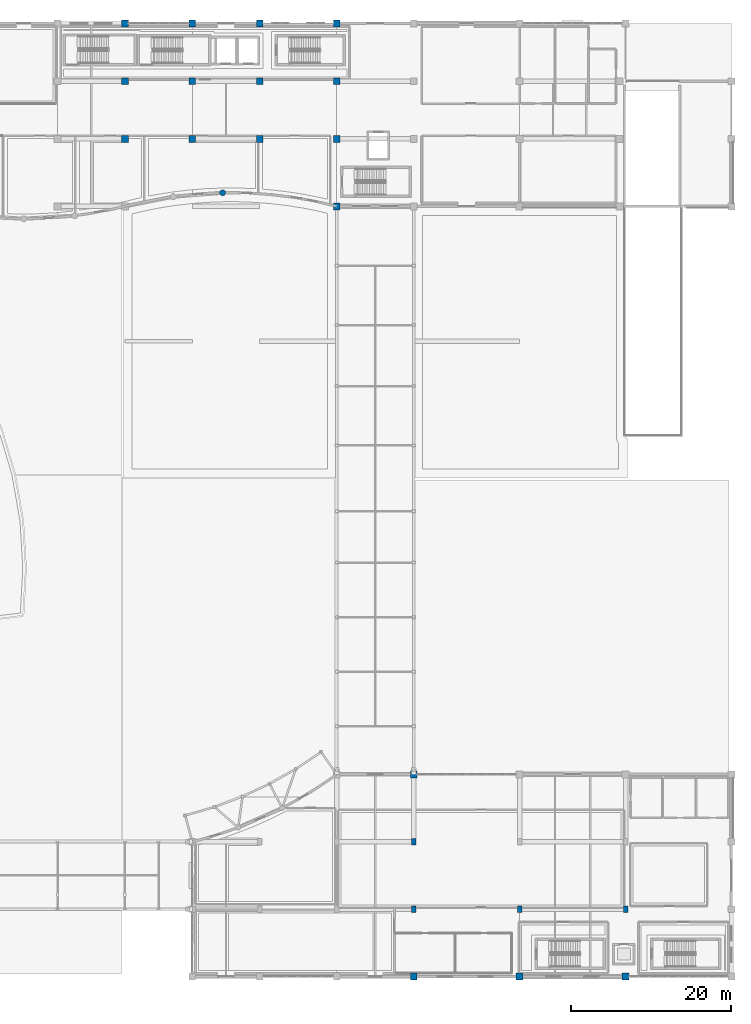
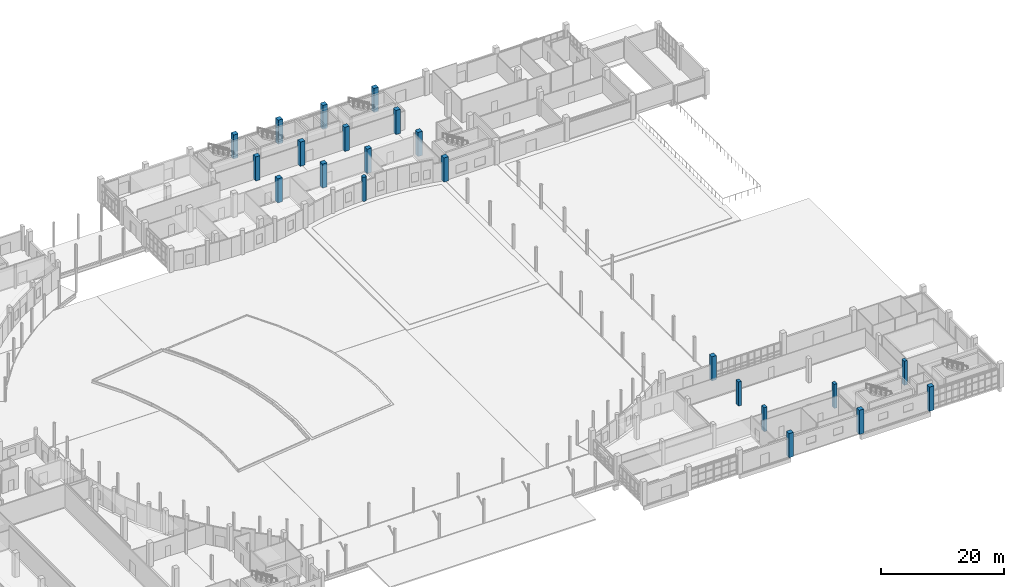
# One storey, part 15 of 97: 22 columns.
"""IFC4 building model written with IfcOpenShell, lengths in metres."""

from ifc_helpers import new_model, si_unit, direction, frame, origin, origin_2d, place, context, subcontext, project, spatial, rectangle, circle, extrude, material, material_profile, profile_set, type_object, element, save


model = new_model("IFC4")

# Units and contexts
model_context = context("Model", 3, precision=1e-05, world=origin(), true_north=direction((0.0, 1.0)))
body_context = subcontext(model_context, "Body", "Model", "MODEL_VIEW")
ifc_project = project(units=[si_unit("LENGTHUNIT", "METRE"), si_unit("AREAUNIT", "SQUARE_METRE"), si_unit("VOLUMEUNIT", "CUBIC_METRE"), si_unit("PLANEANGLEUNIT", "RADIAN"), si_unit("MASSUNIT", "GRAM", prefix="KILO")], contexts=[model_context])

# Site, building, storey
site_placement = place(None, origin())
site = spatial("IfcSite", under=ifc_project, at=site_placement, CompositionType="ELEMENT")
building_placement = place(site_placement, origin())
building = spatial("IfcBuilding", under=site, at=building_placement, Name="Kisaragi Civic Commons", CompositionType="ELEMENT")
storey_placement = place(building_placement, origin())
storey = spatial("IfcBuildingStorey", under=building, at=storey_placement, Name="L00", CompositionType="ELEMENT", Elevation=0.0)

# Columns
ifc_material = material(Name="Concrete Fc36", Category="concrete")
ifc_material_profile_1 = material_profile(ifc_material, rectangle(XDim=0.85009765625, YDim=0.85009765625, at=origin_2d()), Name="RC-850x850", Category="concrete")
ifc_profile_set_1 = profile_set([ifc_material_profile_1], Name="Concrete Fc36")
column_type_1 = type_object("IfcColumnType", Name="C-01", PredefinedType="COLUMN", material=ifc_profile_set_1)
for number, where, z_axis, x_axis, name in (
    (1, (97.199951171875, 104.39990234375, 0.0), (0.0, 0.0, 1.0), (1.0, 0.0, 0.0), "L00 column C-01 (97.2,104.4)"),
    (2, (97.199951171875, 111.60009765625, 0.0), (0.0, 0.0, 1.0), (1.0, 0.0, 0.0), "L00 column C-01 (97.2,111.6)"),
    (3, (105.60009765625, 104.39990234375, 0.0), (0.0, 0.0, 1.0), (1.0, 0.0, 0.0), "L00 column C-01 (105.6,104.4)"),
    (4, (105.60009765625, 111.60009765625, 0.0), (0.0, 0.0, 1.0), (1.0, 0.0, 0.0), "L00 column C-01 (105.6,111.6)"),
    (5, (114.0, 104.39990234375, 0.0), (0.0, 0.0, 1.0), (1.0, 0.0, 0.0), "L00 column C-01 (114.0,104.4)"),
    (6, (114.0, 111.60009765625, 0.0), (0.0, 0.0, 1.0), (1.0, 0.0, 0.0), "L00 column C-01 (114.0,111.6)"),
    (7, (123.60009765625, 104.39990234375, 0.0), (0.0, 0.0, 1.0), (1.0, 0.0, 0.0), "L00 column C-01 (123.6,104.4)"),
    (8, (123.60009765625, 111.60009765625, 0.0), (0.0, 0.0, 1.0), (1.0, 0.0, 0.0), "L00 column C-01 (123.6,111.6)"),
):
    element("IfcColumn", number, at=place(storey_placement, frame(where, z_axis=z_axis, x_axis=x_axis)), inside=storey, type_object=column_type_1, Name=name, PredefinedType="COLUMN", context=body_context, shape_type="SweptSolid", body=[
        extrude(rectangle(XDim=0.85009765625, YDim=0.85009765625, at=origin_2d()), origin(), (0.0, 0.0, 1.0), 4.800048828125),
    ])
ifc_material_profile_2 = material_profile(ifc_material, rectangle(XDim=0.85009765625, YDim=0.85009765625, at=origin_2d()), Name="RC-850x850", Category="concrete")
ifc_profile_set_2 = profile_set([ifc_material_profile_2], Name="Concrete Fc36")
column_type_2 = type_object("IfcColumnType", Name="C-05", PredefinedType="COLUMN", material=ifc_profile_set_2)
for number, where, z_axis, x_axis, name in (
    (9, (97.199951171875, 118.800048828125, 0.0), (0.0, 0.0, 1.0), (1.0, 0.0, 0.0), "L00 column C-05 (97.2,118.8)"),
    (10, (105.60009765625, 118.800048828125, 0.0), (0.0, 0.0, 1.0), (1.0, 0.0, 0.0), "L00 column C-05 (105.6,118.8)"),
    (11, (114.0, 118.800048828125, 0.0), (0.0, 0.0, 1.0), (1.0, 0.0, 0.0), "L00 column C-05 (114.0,118.8)"),
    (12, (123.60009765625, 96.0, 0.0), (0.0, 0.0, 1.0), (1.0, 0.0, 0.0), "L00 column C-05 (123.6,96.0)"),
    (13, (123.60009765625, 118.800048828125, 0.0), (0.0, 0.0, 1.0), (1.0, 0.0, 0.0), "L00 column C-05 (123.6,118.8)"),
    (14, (133.199951171875, 0.0, 0.0), (0.0, 0.0, 1.0), (1.0, 0.0, 0.0), "L00 column C-05 (133.2,0.0)"),
    (15, (133.199951171875, 25.199951171875, 0.0), (0.0, 0.0, 1.0), (1.0, 0.0, 0.0), "L00 column C-05 (133.2,25.2)"),
    (16, (146.39990234375, 0.0, 0.0), (0.0, 0.0, 1.0), (1.0, 0.0, 0.0), "L00 column C-05 (146.4,0.0)"),
    (17, (159.60009765625, 0.0, 0.0), (0.0, 0.0, 1.0), (1.0, 0.0, 0.0), "L00 column C-05 (159.6,0.0)"),
):
    element("IfcColumn", number, at=place(storey_placement, frame(where, z_axis=z_axis, x_axis=x_axis)), inside=storey, type_object=column_type_2, Name=name, PredefinedType="COLUMN", context=body_context, shape_type="SweptSolid", body=[
        extrude(rectangle(XDim=0.85009765625, YDim=0.85009765625, at=origin_2d()), origin(), (0.0, 0.0, 1.0), 4.800048828125),
    ])
ifc_material_profile_3 = material_profile(ifc_material, rectangle(XDim=0.550048828125, YDim=0.800048828125, at=origin_2d()), Name="RC-550x800", Category="concrete")
ifc_profile_set_3 = profile_set([ifc_material_profile_3], Name="Concrete Fc36")
column_type_3 = type_object("IfcColumnType", Name="C-23", PredefinedType="COLUMN", material=ifc_profile_set_3)
for number, where, z_axis, x_axis, name in (
    (18, (133.199951171875, 8.39990234375, 0.0), (0.0, 0.0, 1.0), (1.0, 0.0, 0.0), "L00 column C-23 (133.2,8.4)"),
    (19, (133.199951171875, 16.800048828125, 0.0), (0.0, 0.0, 1.0), (1.0, 0.0, 0.0), "L00 column C-23 (133.2,16.8)"),
    (20, (146.39990234375, 8.39990234375, 0.0), (0.0, 0.0, 1.0), (1.0, 0.0, 0.0), "L00 column C-23 (146.4,8.4)"),
    (21, (159.60009765625, 8.39990234375, 0.0), (0.0, 0.0, 1.0), (1.0, 0.0, 0.0), "L00 column C-23 (159.6,8.4)"),
):
    element("IfcColumn", number, at=place(storey_placement, frame(where, z_axis=z_axis, x_axis=x_axis)), inside=storey, type_object=column_type_3, Name=name, PredefinedType="COLUMN", context=body_context, shape_type="SweptSolid", body=[
        extrude(rectangle(XDim=0.550048828125, YDim=0.800048828125, at=origin_2d()), origin(), (0.0, 0.0, 1.0), 4.800048828125),
    ])
ifc_material_profile_4 = material_profile(ifc_material, circle(Radius=0.375, at=origin_2d()), Name="RC-D750", Category="concrete")
ifc_profile_set_4 = profile_set([ifc_material_profile_4], Name="Concrete Fc36")
column_type_4 = type_object("IfcColumnType", Name="C-24", PredefinedType="COLUMN", material=ifc_profile_set_4)
column_placement = place(storey_placement, frame((109.373291015625, 97.693115234375, 0.0), z_axis=(0.0, 0.0, 1.0), x_axis=(1.0, 0.0, 0.0)))
element("IfcColumn", 22, at=column_placement, inside=storey, type_object=column_type_4, Name="L00 column C-24 (109.4,97.7)", PredefinedType="COLUMN", context=body_context, shape_type="SweptSolid", body=[
    extrude(circle(Radius=0.375, at=origin_2d()), origin(), (0.0, 0.0, 1.0), 4.800048828125),
])

save(model, "model.ifc")
